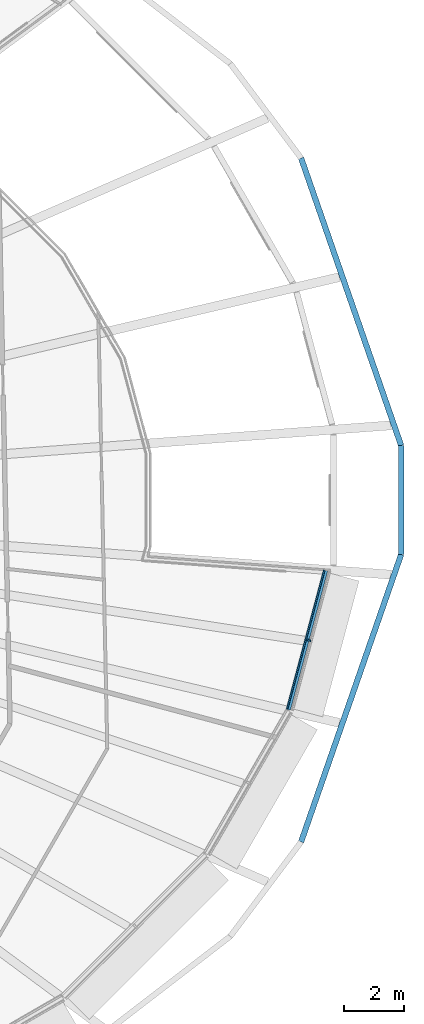
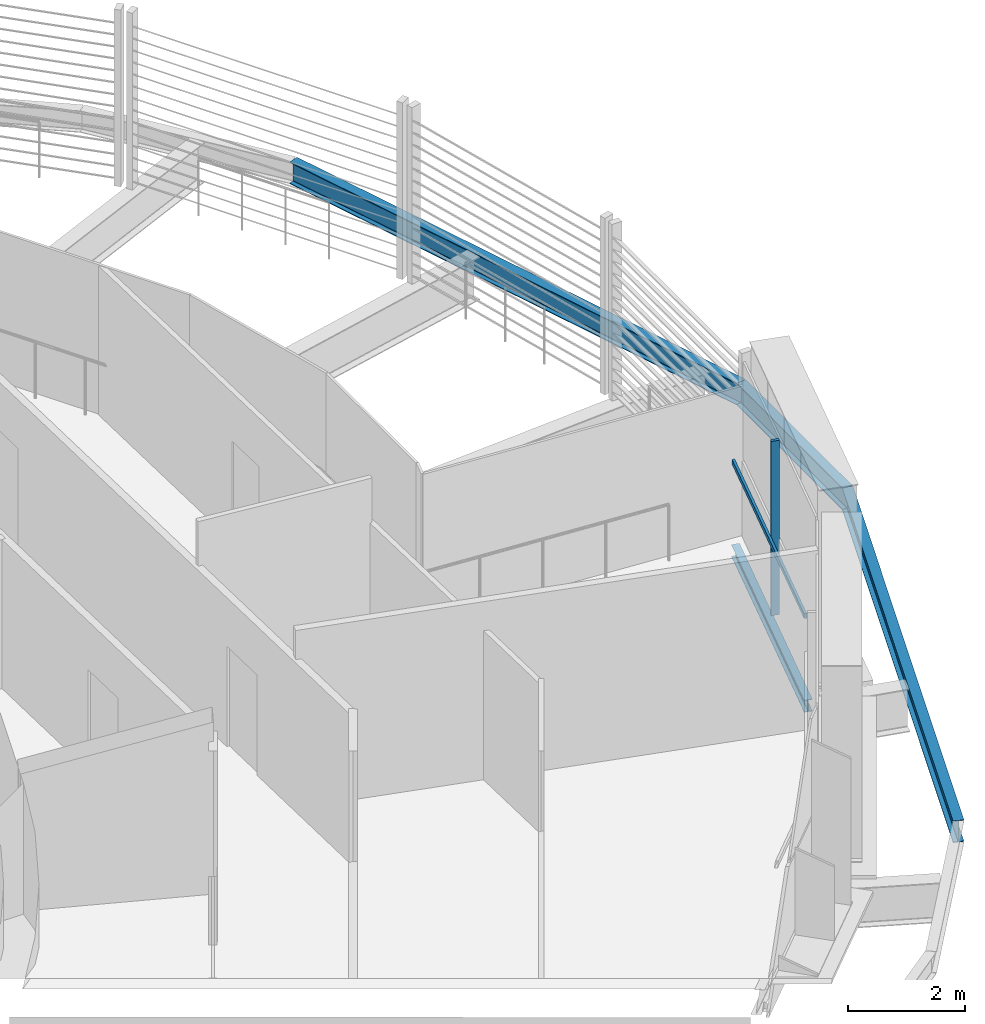
# One storey, part 12 of 28: 4 beams, 2 members, 1 element without a shape of its own.
"""IFC4 building model written with IfcOpenShell, lengths in metres."""

from ifc_helpers import new_model, si_unit, direction, frame, origin, origin_2d, place, context, subcontext, project, spatial, rectangle, i_section, extrude, material, layer, layer_set, material_profile, profile_set, type_object, element, aggregate, save


model = new_model("IFC4")

# Units and contexts
model_context = context("Model", 3, precision=1e-05, world=origin(), true_north=direction((0.0, 1.0)))
body_context = subcontext(model_context, "Body", "Model", "MODEL_VIEW")
ifc_project = project(units=[si_unit("LENGTHUNIT", "METRE"), si_unit("AREAUNIT", "SQUARE_METRE"), si_unit("VOLUMEUNIT", "CUBIC_METRE"), si_unit("PLANEANGLEUNIT", "RADIAN"), si_unit("MASSUNIT", "GRAM", prefix="KILO")], contexts=[model_context])

# Site, building, storey
site_placement = place(None, origin())
site = spatial("IfcSite", under=ifc_project, at=site_placement, CompositionType="ELEMENT")
building_placement = place(site_placement, origin())
building = spatial("IfcBuilding", under=site, at=building_placement, Name="Sahrelin Media Tower", CompositionType="ELEMENT")
storey_placement = place(building_placement, frame((0.0, 0.0, 75.60009765625)))
storey = spatial("IfcBuildingStorey", under=building, at=storey_placement, Name="L13", CompositionType="ELEMENT", Elevation=75.60009765625)

# Beam
ifc_material_1 = material(Name="Steel S355", Category="steel")
ifc_material_profile_1 = material_profile(ifc_material_1, i_section(OverallWidth=0.14599609375, OverallDepth=0.25146484375, WebThickness=0.006103515625, FlangeThickness=0.008544921875, FilletRadius=0.007568359375, at=origin_2d()), Name="UB 254x146x31")
ifc_profile_set_1 = profile_set([ifc_material_profile_1], Name="Steel S355")
beam_type_1 = type_object("IfcBeamType", Name="Edge beam EB1", PredefinedType="BEAM", material=ifc_profile_set_1)
beam_1_placement = place(storey_placement, frame((31.21728515625, -2.334228515625, -0.27587890625), z_axis=(-0.258843123229, -0.965919374253, 0.0), x_axis=(0.965919374253, -0.258843123229, 0.0)))
element("IfcBeam", 1, at=beam_1_placement, inside=storey, type_object=beam_type_1, Name="Edge beam L13-01", PredefinedType="BEAM", context=body_context, shape_type="SweptSolid", body=[
    extrude(i_section(OverallWidth=0.14599609375, OverallDepth=0.25146484375, WebThickness=0.006103515625, FlangeThickness=0.008544921875, FilletRadius=0.007568359375, at=origin_2d()), origin(), (0.0, 0.0, 1.0), 4.826416015625),
])

# Curtain wall, member
ifc_material_2 = material(Name="Champagne anodised aluminium 6063-T6", Category="aluminium")
ifc_layer = layer(ifc_material_2, 0.14990234375)
ifc_layer_set = layer_set([ifc_layer], Name="Tower ribbon curtain wall")
curtain_wall_type = type_object("IfcCurtainWallType", Name="Tower ribbon curtain wall", PredefinedType="NOTDEFINED", material=ifc_layer_set)
curtain_wall_placement = place(storey_placement, frame((30.737548828125, -4.7041015625, 0.0), z_axis=(0.0, 0.0, 1.0), x_axis=(1.0, 0.0, 0.0)))
curtain_wall = element("IfcCurtainWall", 2, at=curtain_wall_placement, inside=storey, type_object=curtain_wall_type, Name="L13:CW:L13-23", PredefinedType="NOTDEFINED")
ifc_material_profile_2 = material_profile(ifc_material_2, rectangle(XDim=0.06005859375, YDim=0.14990234375, at=origin_2d()), Name="Mullion 60x150")
ifc_profile_set_2 = profile_set([ifc_material_profile_2], Name="Champagne anodised aluminium 6063-T6")
member_type_1 = type_object("IfcMemberType", Name="Mullion 60x150 CW1", PredefinedType="MULLION", material=ifc_profile_set_2)
member_1_placement = place(storey_placement, frame((30.645751953125, -4.679443359375, 0.0), z_axis=(0.0, 0.0, 1.0), x_axis=(0.258820730961, 0.965925374563, 0.0)))
member_1 = element("IfcMember", 3, at=member_1_placement, type_object=member_type_1, Name="L13:CWM:L13-23", PredefinedType="MULLION", context=body_context, shape_type="SweptSolid", body=[
    extrude(rectangle(XDim=0.06005859375, YDim=0.14990234375, at=origin_2d()), origin(), (0.0, 0.0, 1.0), 3.6484375),
])

# Beams
ifc_material_profile_3 = material_profile(ifc_material_1, i_section(OverallWidth=0.1904296875, OverallDepth=0.45703125, WebThickness=0.009033203125, FlangeThickness=0.014404296875, FilletRadius=0.01025390625, at=origin_2d()), Name="UB 457x191x74")
ifc_profile_set_3 = profile_set([ifc_material_profile_3], Name="Steel S355")
beam_type_2 = type_object("IfcBeamType", Name="Tie chord TC5", PredefinedType="BEAM", material=ifc_profile_set_3)
for number, where, z_axis, x_axis, name in (
    (4, (33.73388671875, 1.818115234375, -0.378662109375), (-0.328772402229, 0.944409184375, 0.0), (-0.944409184375, -0.328772402229, 0.0), "Tie chord L13-01"),
    (5, (30.3955078125, -11.40771484375, -0.378662109375), (0.328772402229, 0.944409184375, 0.0), (-0.944409184375, 0.328772402229, 0.0), "Tie chord L13-23"),
):
    element("IfcBeam", number, at=place(storey_placement, frame(where, z_axis=z_axis, x_axis=x_axis)), inside=storey, type_object=beam_type_2, Name=name, PredefinedType="BEAM", context=body_context, shape_type="SweptSolid", body=[
        extrude(i_section(OverallWidth=0.1904296875, OverallDepth=0.45703125, WebThickness=0.009033203125, FlangeThickness=0.014404296875, FilletRadius=0.01025390625, at=origin_2d()), origin(), (0.0, 0.0, 1.0), 10.154052734375),
    ])
beam_2_placement = place(storey_placement, frame((33.73388671875, -1.818115234375, -0.378662109375), z_axis=(0.0, 1.0, 0.0), x_axis=(-1.0, 0.0, 0.0)))
element("IfcBeam", 6, at=beam_2_placement, inside=storey, type_object=beam_type_2, Name="Tie chord L13-24", PredefinedType="BEAM", context=body_context, shape_type="SweptSolid", body=[
    extrude(i_section(OverallWidth=0.1904296875, OverallDepth=0.45703125, WebThickness=0.009033203125, FlangeThickness=0.014404296875, FilletRadius=0.01025390625, at=origin_2d()), origin(), (0.0, 0.0, 1.0), 3.63623046875),
])

# Member
ifc_material_profile_4 = material_profile(ifc_material_2, rectangle(XDim=0.050048828125, YDim=0.10009765625, at=origin_2d()), Name="Transom 50x100")
ifc_profile_set_4 = profile_set([ifc_material_profile_4], Name="Champagne anodised aluminium 6063-T6")
member_type_2 = type_object("IfcMemberType", Name="Transom 50x100 CW1", PredefinedType="USERDEFINED", material=ifc_profile_set_4)
member_2_placement = place(storey_placement, frame((29.9287109375, -6.96923828125, 1.599853515625), z_axis=(0.258819226562, 0.965925777667, 0.0), x_axis=(-0.965925777667, 0.258819226562, 0.0)))
member_2 = element("IfcMember", 7, at=member_2_placement, type_object=member_type_2, Name="L13:CWT:L13-23", ObjectType="TRANSOM", PredefinedType="USERDEFINED", context=body_context, shape_type="SweptSolid", body=[
    extrude(rectangle(XDim=0.050048828125, YDim=0.10009765625, at=origin_2d()), origin(), (0.0, 0.0, 1.0), 4.794677734375),
])

aggregate(curtain_wall, [member_1, member_2])

save(model, "model.ifc")
